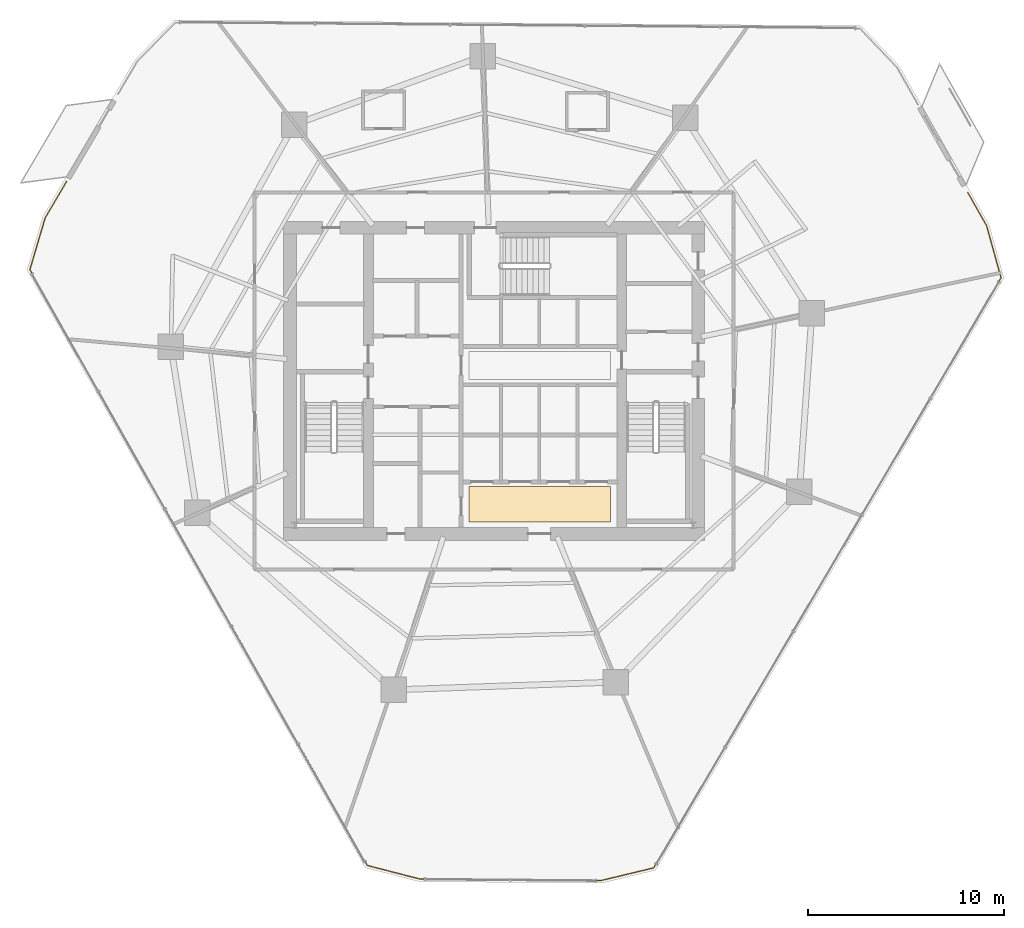
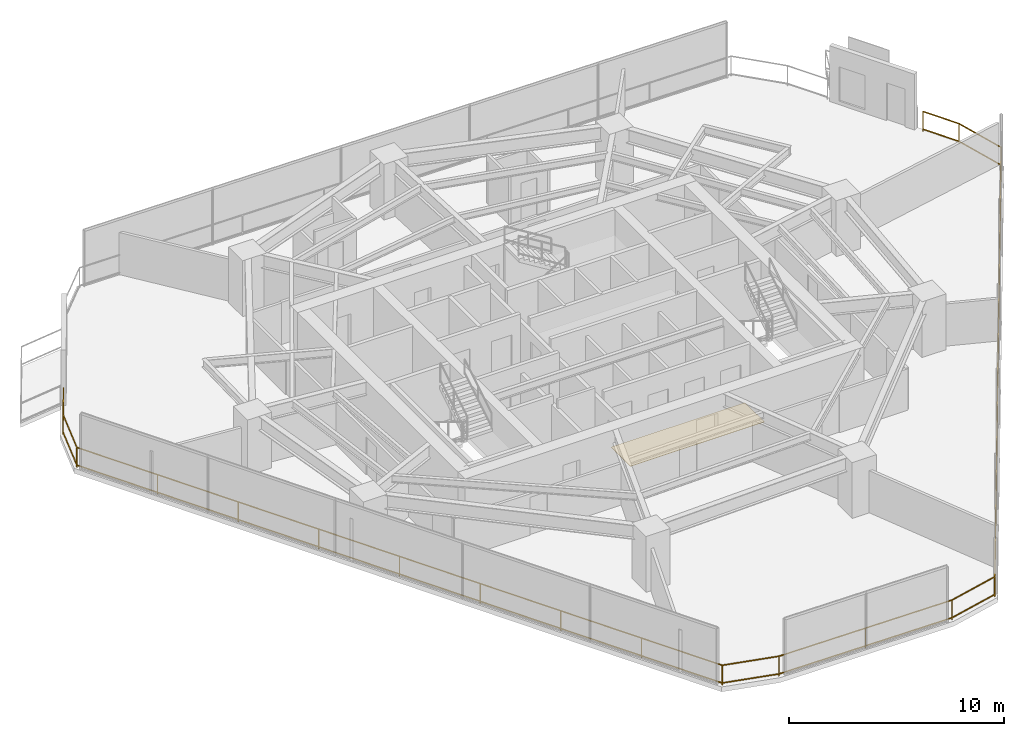
# One storey, part 29 of 31: 1 covering, 1 railing.
"""IFC4 building model written with IfcOpenShell, lengths in metres."""

from ifc_helpers import new_model, si_unit, direction, frame, origin, origin_2d, place, context, subcontext, project, spatial, rectangle, extrude, material, layer, layer_set, type_object, element, save


model = new_model("IFC4")

# Units and contexts
model_context = context("Model", 3, precision=1e-05, world=origin(), true_north=direction((0.0, 1.0)))
body_context = subcontext(model_context, "Body", "Model", "MODEL_VIEW")
ifc_project = project(units=[si_unit("LENGTHUNIT", "METRE"), si_unit("AREAUNIT", "SQUARE_METRE"), si_unit("VOLUMEUNIT", "CUBIC_METRE"), si_unit("PLANEANGLEUNIT", "RADIAN"), si_unit("MASSUNIT", "GRAM", prefix="KILO")], contexts=[model_context])

# Site, building, storey
site_placement = place(None, origin())
site = spatial("IfcSite", under=ifc_project, at=site_placement, CompositionType="ELEMENT")
building_placement = place(site_placement, origin())
building = spatial("IfcBuilding", under=site, at=building_placement, Name="Qarnah Convention Tower", CompositionType="ELEMENT")
storey_placement = place(building_placement, frame((0.0, 0.0, 64.949951171875)))
storey = spatial("IfcBuildingStorey", under=building, at=storey_placement, Name="L16", CompositionType="ELEMENT", Elevation=64.949951171875)

# Covering
ifc_material_1 = material(Name="Porcelain stone floor tile", Category="masonry")
ifc_layer = layer(ifc_material_1, 0.02001953125)
ifc_layer_set = layer_set([ifc_layer], Name="Porcelain stone floor tile")
covering_type = type_object("IfcCoveringType", Name="COV-FLOOR-20", PredefinedType="FLOORING", material=ifc_layer_set)
covering_placement = place(storey_placement, frame((39.52001953125, 20.1201171875, 0.0), z_axis=(0.0, 0.0, 1.0), x_axis=(1.0, 0.0, 0.0)))
element("IfcCovering", 1, at=covering_placement, inside=storey, type_object=covering_type, Name="L16 lift lobby porcelain stone flooring", PredefinedType="FLOORING", context=body_context, shape_type="SweptSolid", body=[
    extrude(rectangle(XDim=7.199951171875, YDim=1.800048828125, at=origin_2d()), origin(), (0.0, 0.0, 1.0), 0.02001953125),
])

# Railing
ifc_material_2 = material(Name="Black anodised aluminium", Category="aluminium")
railing_type = type_object("IfcRailingType", Name="RL-EXT-GUARD-1150", PredefinedType="GUARDRAIL", material=ifc_material_2)
railing_placement = place(storey_placement, frame((61.327880859375, 35.988037109375, 0.0)))
element("IfcRailing", 2, at=railing_placement, inside=storey, type_object=railing_type, Name="L16 slab-edge perimeter safety guard 02", PredefinedType="GUARDRAIL", context=body_context, shape_type="SweptSolid", body=[
    extrude(rectangle(XDim=0.048095703125, YDim=0.048095703125, at=origin_2d()), frame((0.0, 0.0, 1.1259765625), z_axis=(0.492933431835, -0.870067027176, 0.0), x_axis=(0.870067027176, 0.492933431835, 0.0)), (0.0, 0.0, 1.0), 1.946044921875),
    extrude(rectangle(XDim=0.048095703125, YDim=0.048095703125, at=origin_2d()), frame((0.0, 0.0, 0.1201171875), z_axis=(0.492933431835, -0.870067027176, 0.0), x_axis=(0.870067027176, 0.492933431835, 0.0)), (0.0, 0.0, 1.0), 1.946044921875),
    extrude(rectangle(XDim=0.048095703125, YDim=0.048095703125, at=origin_2d()), frame((0.959228515625, -1.693115234375, 1.1259765625), z_axis=(0.267359441828, -0.963596870514, 0.0), x_axis=(0.963596870514, 0.267359441828, 0.0)), (0.0, 0.0, 1.0), 2.744873046875),
    extrude(rectangle(XDim=0.048095703125, YDim=0.048095703125, at=origin_2d()), frame((0.959228515625, -1.693115234375, 0.1201171875), z_axis=(0.267359441828, -0.963596870514, 0.0), x_axis=(0.963596870514, 0.267359441828, 0.0)), (0.0, 0.0, 1.0), 2.744873046875),
    extrude(rectangle(XDim=0.048095703125, YDim=0.048095703125, at=origin_2d()), frame((1.693115234375, -4.338134765625, 1.1259765625), z_axis=(-0.507217114474, -0.861818309613, 0.0), x_axis=(0.861818309613, -0.507217114474, 0.0)), (0.0, 0.0, 1.0), 34.87841796875),
    extrude(rectangle(XDim=0.048095703125, YDim=0.048095703125, at=origin_2d()), frame((1.693115234375, -4.338134765625, 0.1201171875), z_axis=(-0.507217114474, -0.861818309613, 0.0), x_axis=(0.861818309613, -0.507217114474, 0.0)), (0.0, 0.0, 1.0), 34.87841796875),
    extrude(rectangle(XDim=0.048095703125, YDim=0.048095703125, at=origin_2d()), frame((-15.997802734375, -34.39697265625, 1.1259765625), z_axis=(-0.972345307034, -0.233547862094, 0.0), x_axis=(0.233547862094, -0.972345307034, 0.0)), (0.0, 0.0, 1.0), 2.7451171875),
    extrude(rectangle(XDim=0.048095703125, YDim=0.048095703125, at=origin_2d()), frame((-15.997802734375, -34.39697265625, 0.1201171875), z_axis=(-0.972345307034, -0.233547862094, 0.0), x_axis=(0.233547862094, -0.972345307034, 0.0)), (0.0, 0.0, 1.0), 2.7451171875),
    extrude(rectangle(XDim=0.048095703125, YDim=0.048095703125, at=origin_2d()), frame((-18.6669921875, -35.0380859375, 1.1259765625), z_axis=(-0.999964419471, 0.008435626347, 0.0), x_axis=(-0.008435626347, -0.999964419471, 0.0)), (0.0, 0.0, 1.0), 9.26123046875),
    extrude(rectangle(XDim=0.048095703125, YDim=0.048095703125, at=origin_2d()), frame((-18.6669921875, -35.0380859375, 0.1201171875), z_axis=(-0.999964419471, 0.008435626347, 0.0), x_axis=(-0.008435626347, -0.999964419471, 0.0)), (0.0, 0.0, 1.0), 9.26123046875),
    extrude(rectangle(XDim=0.048095703125, YDim=0.048095703125, at=origin_2d()), frame((-27.927978515625, -34.9599609375, 1.1259765625), z_axis=(-0.968267604878, 0.249915676468, 0.0), x_axis=(-0.249915676468, -0.968267604878, 0.0)), (0.0, 0.0, 1.0), 2.7451171875),
    extrude(rectangle(XDim=0.048095703125, YDim=0.048095703125, at=origin_2d()), frame((-27.927978515625, -34.9599609375, 0.1201171875), z_axis=(-0.968267604878, 0.249915676468, 0.0), x_axis=(-0.249915676468, -0.968267604878, 0.0)), (0.0, 0.0, 1.0), 2.7451171875),
    extrude(rectangle(XDim=0.048095703125, YDim=0.048095703125, at=origin_2d()), frame((-30.5859375, -34.27392578125, 1.1259765625), z_axis=(-0.492738253566, 0.870177575828, 0.0), x_axis=(-0.870177575828, -0.492738253566, 0.0)), (0.0, 0.0, 1.0), 34.876708984375),
    extrude(rectangle(XDim=0.048095703125, YDim=0.048095703125, at=origin_2d()), frame((-30.5859375, -34.27392578125, 0.1201171875), z_axis=(-0.492738253566, 0.870177575828, 0.0), x_axis=(-0.870177575828, -0.492738253566, 0.0)), (0.0, 0.0, 1.0), 34.876708984375),
    extrude(rectangle(XDim=0.048095703125, YDim=0.048095703125, at=origin_2d()), frame((-47.77099609375, -3.925048828125, 1.1259765625), z_axis=(0.283292257639, 0.959033626502, 0.0), x_axis=(-0.959033626502, 0.283292257639, 0.0)), (0.0, 0.0, 1.0), 2.74658203125),
    extrude(rectangle(XDim=0.048095703125, YDim=0.048095703125, at=origin_2d()), frame((-47.77099609375, -3.925048828125, 0.1201171875), z_axis=(0.283292257639, 0.959033626502, 0.0), x_axis=(-0.959033626502, 0.283292257639, 0.0)), (0.0, 0.0, 1.0), 2.74658203125),
    extrude(rectangle(XDim=0.048095703125, YDim=0.048095703125, at=origin_2d()), frame((-46.992919921875, -1.291015625, 1.1259765625), z_axis=(0.507401113466, 0.86170999185, 0.0), x_axis=(-0.86170999185, 0.507401113466, 0.0)), (0.0, 0.0, 1.0), 2.156005859375),
    extrude(rectangle(XDim=0.048095703125, YDim=0.048095703125, at=origin_2d()), frame((-46.992919921875, -1.291015625, 0.1201171875), z_axis=(0.507401113466, 0.86170999185, 0.0), x_axis=(-0.86170999185, 0.507401113466, 0.0)), (0.0, 0.0, 1.0), 2.156005859375),
    extrude(rectangle(XDim=0.0419921875, YDim=0.0419921875, at=origin_2d()), origin(), (0.0, 0.0, 1.0), 1.101806640625),
    extrude(rectangle(XDim=0.0419921875, YDim=0.0419921875, at=origin_2d()), frame((0.959228515625, -1.693115234375, 0.0)), (0.0, 0.0, 1.0), 1.101806640625),
    extrude(rectangle(XDim=0.0419921875, YDim=0.0419921875, at=origin_2d()), frame((1.693115234375, -4.338134765625, 0.0)), (0.0, 0.0, 1.0), 1.101806640625),
    extrude(rectangle(XDim=0.0419921875, YDim=0.0419921875, at=origin_2d()), frame((-0.518310546875, -8.095458984375, 0.0)), (0.0, 0.0, 1.0), 1.101806640625),
    extrude(rectangle(XDim=0.0419921875, YDim=0.0419921875, at=origin_2d()), frame((-2.7294921875, -11.852783203125, 0.0)), (0.0, 0.0, 1.0), 1.101806640625),
    extrude(rectangle(XDim=0.0419921875, YDim=0.0419921875, at=origin_2d()), frame((-4.94091796875, -15.610107421875, 0.0)), (0.0, 0.0, 1.0), 1.101806640625),
    extrude(rectangle(XDim=0.0419921875, YDim=0.0419921875, at=origin_2d()), frame((-7.15234375, -19.36767578125, 0.0)), (0.0, 0.0, 1.0), 1.101806640625),
    extrude(rectangle(XDim=0.0419921875, YDim=0.0419921875, at=origin_2d()), frame((-9.36376953125, -23.125, 0.0)), (0.0, 0.0, 1.0), 1.101806640625),
    extrude(rectangle(XDim=0.0419921875, YDim=0.0419921875, at=origin_2d()), frame((-11.5751953125, -26.88232421875, 0.0)), (0.0, 0.0, 1.0), 1.101806640625),
    extrude(rectangle(XDim=0.0419921875, YDim=0.0419921875, at=origin_2d()), frame((-13.786376953125, -30.6396484375, 0.0)), (0.0, 0.0, 1.0), 1.101806640625),
    extrude(rectangle(XDim=0.0419921875, YDim=0.0419921875, at=origin_2d()), frame((-15.997802734375, -34.39697265625, 0.0)), (0.0, 0.0, 1.0), 1.101806640625),
    extrude(rectangle(XDim=0.0419921875, YDim=0.0419921875, at=origin_2d()), frame((-18.6669921875, -35.0380859375, 0.0)), (0.0, 0.0, 1.0), 1.101806640625),
    extrude(rectangle(XDim=0.0419921875, YDim=0.0419921875, at=origin_2d()), frame((-23.29736328125, -34.9990234375, 0.0)), (0.0, 0.0, 1.0), 1.101806640625),
    extrude(rectangle(XDim=0.0419921875, YDim=0.0419921875, at=origin_2d()), frame((-27.927978515625, -34.9599609375, 0.0)), (0.0, 0.0, 1.0), 1.101806640625),
    extrude(rectangle(XDim=0.0419921875, YDim=0.0419921875, at=origin_2d()), frame((-30.5859375, -34.27392578125, 0.0)), (0.0, 0.0, 1.0), 1.101806640625),
    extrude(rectangle(XDim=0.0419921875, YDim=0.0419921875, at=origin_2d()), frame((-32.734130859375, -30.480224609375, 0.0)), (0.0, 0.0, 1.0), 1.101806640625),
    extrude(rectangle(XDim=0.0419921875, YDim=0.0419921875, at=origin_2d()), frame((-34.88232421875, -26.686767578125, 0.0)), (0.0, 0.0, 1.0), 1.101806640625),
    extrude(rectangle(XDim=0.0419921875, YDim=0.0419921875, at=origin_2d()), frame((-37.0302734375, -22.89306640625, 0.0)), (0.0, 0.0, 1.0), 1.101806640625),
    extrude(rectangle(XDim=0.0419921875, YDim=0.0419921875, at=origin_2d()), frame((-39.178466796875, -19.099609375, 0.0)), (0.0, 0.0, 1.0), 1.101806640625),
    extrude(rectangle(XDim=0.0419921875, YDim=0.0419921875, at=origin_2d()), frame((-41.32666015625, -15.305908203125, 0.0)), (0.0, 0.0, 1.0), 1.101806640625),
    extrude(rectangle(XDim=0.0419921875, YDim=0.0419921875, at=origin_2d()), frame((-43.474609375, -11.51220703125, 0.0)), (0.0, 0.0, 1.0), 1.101806640625),
    extrude(rectangle(XDim=0.0419921875, YDim=0.0419921875, at=origin_2d()), frame((-45.622802734375, -7.71875, 0.0)), (0.0, 0.0, 1.0), 1.101806640625),
    extrude(rectangle(XDim=0.0419921875, YDim=0.0419921875, at=origin_2d()), frame((-47.77099609375, -3.925048828125, 0.0)), (0.0, 0.0, 1.0), 1.101806640625),
    extrude(rectangle(XDim=0.0419921875, YDim=0.0419921875, at=origin_2d()), frame((-46.992919921875, -1.291015625, 0.0)), (0.0, 0.0, 1.0), 1.101806640625),
    extrude(rectangle(XDim=0.0419921875, YDim=0.0419921875, at=origin_2d()), frame((-45.89892578125, 0.56689453125, 0.0)), (0.0, 0.0, 1.0), 1.101806640625),
])

save(model, "model.ifc")
